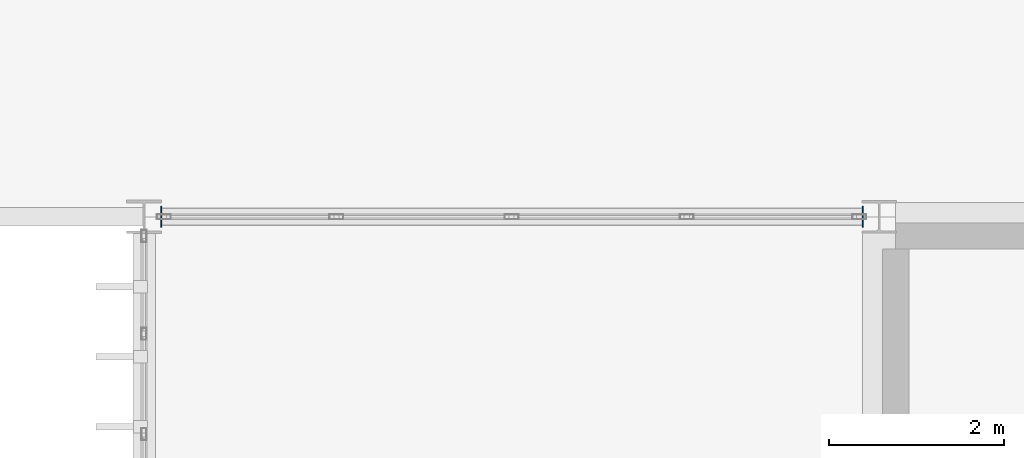
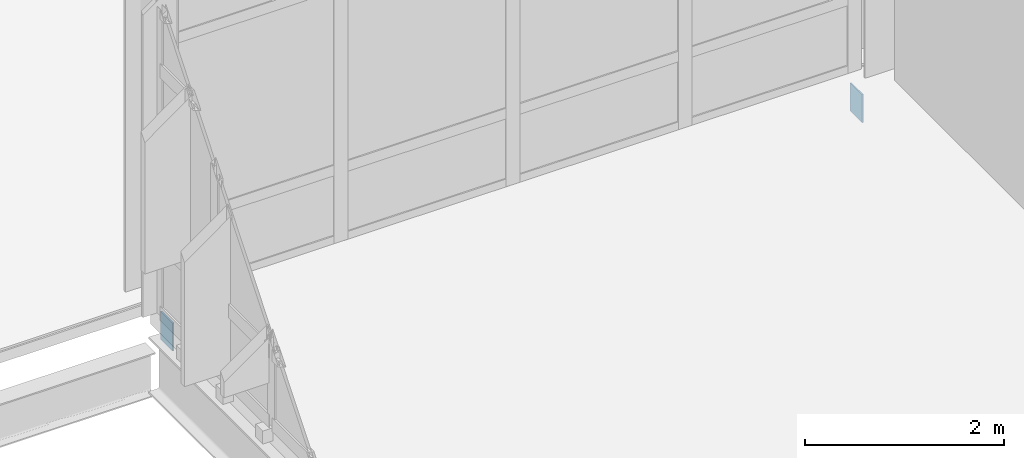
# One storey, part 109 of 153: 2 plates.
"""IFC4 building model written with IfcOpenShell, lengths in metres."""

import ifcopenshell
import ifcopenshell.guid

model = None  # the IFC model being written
_history = None  # IfcOwnerHistory: only IFC2X3 demands one
_inside = {}  # id of a spatial element -> (the spatial element, [elements in it])
_under = {}  # id of a project, library or spatial element -> (it, [spatial elements below it])
_declared = {}  # id of a project -> (the project, [libraries it declares])
_typed = {}  # id of a type object -> (the type object, [elements of that type])
_made_of = {}  # id of a material, layer set ... -> (it, [elements and type objects made of it])


def new_model(schema):
    """Start an empty IFC model of exactly this schema.

    Asked for "IFC4X3", IfcOpenShell would pick the latest addendum, in which some entities
    have other attributes; the version numbers below select the first issue.
    IFC2X3 requires an IfcOwnerHistory on every rooted entity: one is made here for all.
    """
    global model, _history
    if schema == "IFC4X3":
        model = ifcopenshell.file(schema_version=(4, 3, 0, 0))
    else:
        model = ifcopenshell.file(schema=schema)
    _inside.clear()
    _under.clear()
    _declared.clear()
    _typed.clear()
    _made_of.clear()
    _history = None
    if model.schema == "IFC2X3":
        org = make("IfcOrganization", Name="unknown")
        user = make(
            "IfcPersonAndOrganization",
            ThePerson=make("IfcPerson", FamilyName="unknown"),
            TheOrganization=org,
        )
        app = make(
            "IfcApplication",
            ApplicationDeveloper=org,
            Version="unknown",
            ApplicationFullName="unknown",
            ApplicationIdentifier="unknown",
        )
        _history = make(
            "IfcOwnerHistory",
            OwningUser=user,
            OwningApplication=app,
            ChangeAction="ADDED",
            CreationDate=0,
        )
    return model


def make(cls, **values):
    """One entity of the class cls with the attributes given. An attribute that is None is left unset."""
    return model.create_entity(
        cls, **{name: value for name, value in values.items() if value is not None}
    )


def rooted(cls, **values):
    """An entity with a GlobalId (a new one), such as an element, a storey or a relation."""
    return make(cls, GlobalId=ifcopenshell.guid.new(), OwnerHistory=_history, **values)


def si_unit(unit_type, name, prefix=None):
    """IfcSIUnit, for example si_unit("LENGTHUNIT", "METRE", prefix="MILLI")."""
    return make("IfcSIUnit", UnitType=unit_type, Prefix=prefix, Name=name)


def assignment(units):
    """IfcUnitAssignment: the units of a project."""
    return None if units is None else make("IfcUnitAssignment", Units=units)


def point(xyz):
    """IfcCartesianPoint."""
    return None if xyz is None else make("IfcCartesianPoint", Coordinates=xyz)


def direction(xyz):
    """IfcDirection."""
    return None if xyz is None else make("IfcDirection", DirectionRatios=xyz)


def frame(location, z_axis=None, x_axis=None):
    """IfcAxis2Placement3D, a coordinate frame: its origin and axes. An axis left out is left unset."""
    return make(
        "IfcAxis2Placement3D",
        Location=point(location),
        Axis=direction(z_axis),
        RefDirection=direction(x_axis),
    )


def frame_2d(location, x_axis=None):
    """IfcAxis2Placement2D, a coordinate frame in the plane: its origin and x axis."""
    return make(
        "IfcAxis2Placement2D", Location=point(location), RefDirection=direction(x_axis)
    )


def origin():
    """The frame at (0, 0, 0) with its axes left unset."""
    return frame((0.0, 0.0, 0.0))


def origin_2d():
    """The frame at (0, 0) in the plane with its x axis left unset."""
    return frame_2d((0.0, 0.0))


def place(relative_to, where):
    """IfcLocalPlacement: puts the frame where relative to a parent placement (None: the world)."""
    return make(
        "IfcLocalPlacement", PlacementRelTo=relative_to, RelativePlacement=where
    )


def context(
    kind, dimensions, precision=None, world=None, true_north=None, identifier=None
):
    """IfcGeometricRepresentationContext, for example the 3D "Model" context."""
    return make(
        "IfcGeometricRepresentationContext",
        ContextIdentifier=identifier,
        ContextType=kind,
        CoordinateSpaceDimension=dimensions,
        Precision=precision,
        WorldCoordinateSystem=world,
        TrueNorth=true_north,
    )


def subcontext(parent, identifier, kind, view, scale=None):
    """IfcGeometricRepresentationSubContext, for example "Body" below "Model"."""
    return make(
        "IfcGeometricRepresentationSubContext",
        ContextIdentifier=identifier,
        ContextType=kind,
        ParentContext=parent,
        TargetScale=scale,
        TargetView=view,
    )


def project(units=None, contexts=None):
    """IfcProject with its units and contexts."""
    return rooted(
        "IfcProject",
        Name="project",
        RepresentationContexts=contexts,
        UnitsInContext=assignment(units),
    )


def spatial(cls, under=None, at=None, **own):
    """A site, building, storey or space (cls), placed at a placement, below another one or the project."""
    s = rooted(cls, ObjectPlacement=at, **own)
    if under is not None:
        _under.setdefault(under.id(), (under, []))[1].append(s)
    return s


def profile(cls, at=None, kind="AREA", **sizes):
    """A parametric profile (cls). Its sizes go by their IFC names, for example OverallWidth=200.0."""
    return make(cls, ProfileType=kind, Position=at, **sizes)


def rectangle(**sizes):
    """IfcRectangleProfileDef."""
    return profile("IfcRectangleProfileDef", **sizes)


def extrude(swept, where, along, depth):
    """IfcExtrudedAreaSolid: the profile swept, set in the frame where, extruded along a direction by depth."""
    return make(
        "IfcExtrudedAreaSolid",
        SweptArea=swept,
        Position=where,
        ExtrudedDirection=direction(along),
        Depth=depth,
    )


def shape(context_of_items, identifier, shape_type, items):
    """IfcShapeRepresentation: the items that make up one representation, for example the "Body"."""
    return make(
        "IfcShapeRepresentation",
        ContextOfItems=context_of_items,
        RepresentationIdentifier=identifier,
        RepresentationType=shape_type,
        Items=items,
    )


def material(Name=None, Category=None):
    """IfcMaterial."""
    return make("IfcMaterial", Name=Name, Category=Category)


def layer(
    of_material, thickness, ventilated=None, Name=None, Category=None, Priority=None
):
    """IfcMaterialLayer: one layer of a wall or slab, of a material (None: an air gap)."""
    return make(
        "IfcMaterialLayer",
        Material=of_material,
        LayerThickness=thickness,
        IsVentilated=ventilated,
        Name=Name,
        Category=Category,
        Priority=Priority,
    )


def layer_set(layers, Name=None):
    """IfcMaterialLayerSet."""
    return make("IfcMaterialLayerSet", MaterialLayers=layers, LayerSetName=Name)


def made_of(thing, what):
    """Note that an element or type object is made of a material, layer set ...; save() writes the relation."""
    if what is not None:
        _made_of.setdefault(what.id(), (what, []))[1].append(thing)
    return thing


def type_object(cls, material=None, **own):
    """A type object (cls), such as IfcWallType, which elements share."""
    return made_of(rooted(cls, **own), material)


def element(
    cls,
    number,
    at=None,
    inside=None,
    cuts=None,
    type_object=None,
    material=None,
    context=None,
    identifier="Body",
    shape_type=None,
    held_by="IfcProductDefinitionShape",
    body=None,
    shapes=None,
    **own,
):
    """One element of the class cls, such as IfcWall. Its Tag is "e" and its number.

    at: its placement. inside: the storey or other place that contains it. cuts: it is an
    opening in that element (IfcRelVoidsElement). A single representation is given by context,
    identifier, shape_type and body (its items); several are given by shapes. held_by: the class
    of the entity that holds the representations. save() writes the other relations.
    """
    e = rooted(cls, Tag="e%d" % number, ObjectPlacement=at, **own)
    if body is not None:
        shapes = [shape(context, identifier, shape_type, body)]
    if shapes is not None:
        e.Representation = make(held_by, Representations=shapes)
    if inside is not None:
        _inside.setdefault(inside.id(), (inside, []))[1].append(e)
    if cuts is not None:
        rooted(
            "IfcRelVoidsElement", RelatingBuildingElement=cuts, RelatedOpeningElement=e
        )
    if type_object is not None:
        _typed.setdefault(type_object.id(), (type_object, []))[1].append(e)
    return made_of(e, material)


def aggregate(whole, parts):
    """IfcRelAggregates: a whole, such as a stair, and the parts it consists of."""
    return rooted("IfcRelAggregates", RelatingObject=whole, RelatedObjects=parts)


def save(model, path):
    """Write the relations noted so far, then the file.

    IfcRelAggregates (storeys below a building ...), IfcRelContainedInSpatialStructure (elements
    in a storey), IfcRelDefinesByType, IfcRelAssociatesMaterial and IfcRelDeclares: one each for
    every whole, place, type object, material and project.
    """
    for whole, parts in _under.values():
        aggregate(whole, parts)
    for where, things in _inside.values():
        rooted(
            "IfcRelContainedInSpatialStructure",
            RelatedElements=things,
            RelatingStructure=where,
        )
    for kind, things in _typed.values():
        rooted("IfcRelDefinesByType", RelatedObjects=things, RelatingType=kind)
    for what, things in _made_of.values():
        rooted("IfcRelAssociatesMaterial", RelatedObjects=things, RelatingMaterial=what)
    for by, libraries in _declared.values():
        rooted("IfcRelDeclares", RelatingContext=by, RelatedDefinitions=libraries)
    model.write(path)


model = new_model("IFC4")

# Units and contexts
model_context = context("Model", 3, precision=1e-05, world=origin(), true_north=direction((0.0, 1.0)))
body_context = subcontext(model_context, "Body", "Model", "MODEL_VIEW")
ifc_project = project(units=[si_unit("LENGTHUNIT", "METRE"), si_unit("AREAUNIT", "SQUARE_METRE"), si_unit("VOLUMEUNIT", "CUBIC_METRE"), si_unit("PLANEANGLEUNIT", "RADIAN"), si_unit("MASSUNIT", "GRAM", prefix="KILO")], contexts=[model_context])

# Site, building, storey
site_placement = place(None, origin())
site = spatial("IfcSite", under=ifc_project, at=site_placement, CompositionType="ELEMENT")
building_placement = place(site_placement, origin())
building = spatial("IfcBuilding", under=site, at=building_placement, Name="Calvrana Isthmian Art Gallery", CompositionType="ELEMENT")
storey_placement = place(building_placement, frame((0.0, 0.0, 10.199951171875)))
storey = spatial("IfcBuildingStorey", under=building, at=storey_placement, Name="L02", CompositionType="ELEMENT", Elevation=10.199951171875)

# Plates
ifc_material = material(Name="Steel ASTM A572 Gr 50", Category="steel")
ifc_layer = layer(ifc_material, 0.01611328125, Name="Steel ASTM A572 Gr 50")
ifc_layer_set = layer_set([ifc_layer], Name="Steel ASTM A572 Gr 50")
plate_type = type_object("IfcPlateType", Name="PL-CAP-16", PredefinedType="SHEET", material=ifc_layer_set)
for number, where, z_axis, x_axis, name in (
    (1, (21.797119140625, 46.800048828125, -0.589599609375), (0.0, 0.0, 1.0), (1.0, 0.0, 0.0), "Hollow section end cap plate 451"),
    (2, (29.8134765625, 46.800048828125, -0.589599609375), (0.0, 0.0, 1.0), (1.0, 0.0, 0.0), "Hollow section end cap plate 452"),
):
    element("IfcPlate", number, at=place(storey_placement, frame(where, z_axis=z_axis, x_axis=x_axis)), inside=storey, type_object=plate_type, Name=name, PredefinedType="SHEET", context=body_context, shape_type="SweptSolid", body=[
        extrude(rectangle(XDim=0.01611328125, YDim=0.2431640625, at=origin_2d()), origin(), (0.0, 0.0, 1.0), 0.3447265625),
    ])

save(model, "model.ifc")
